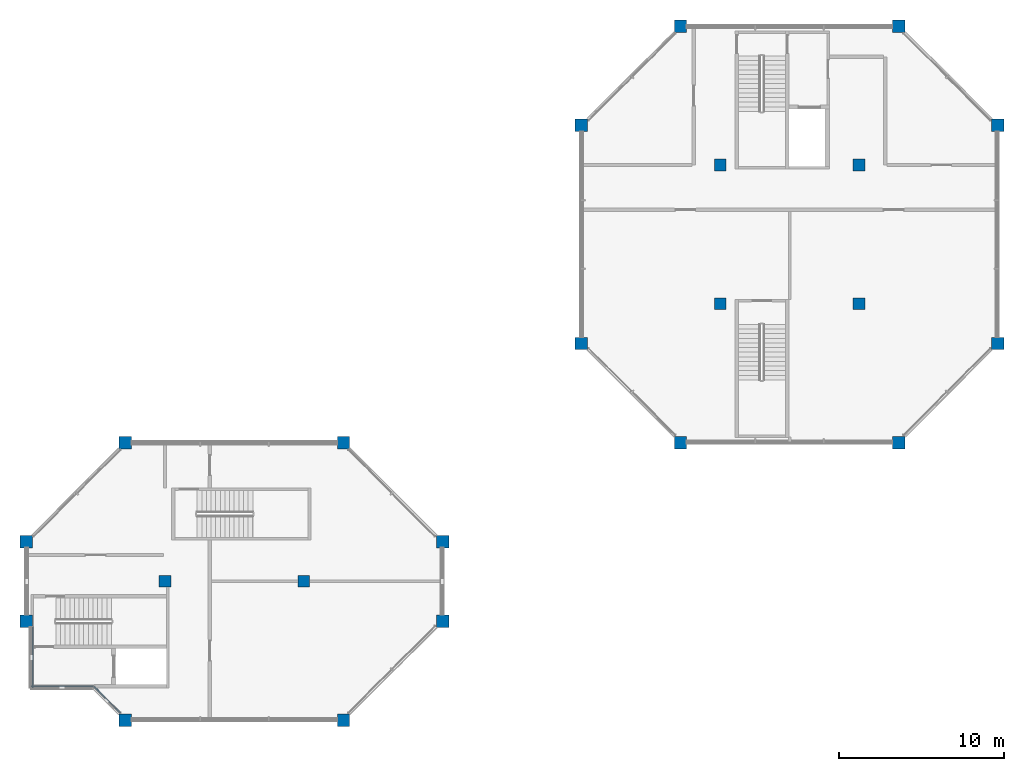
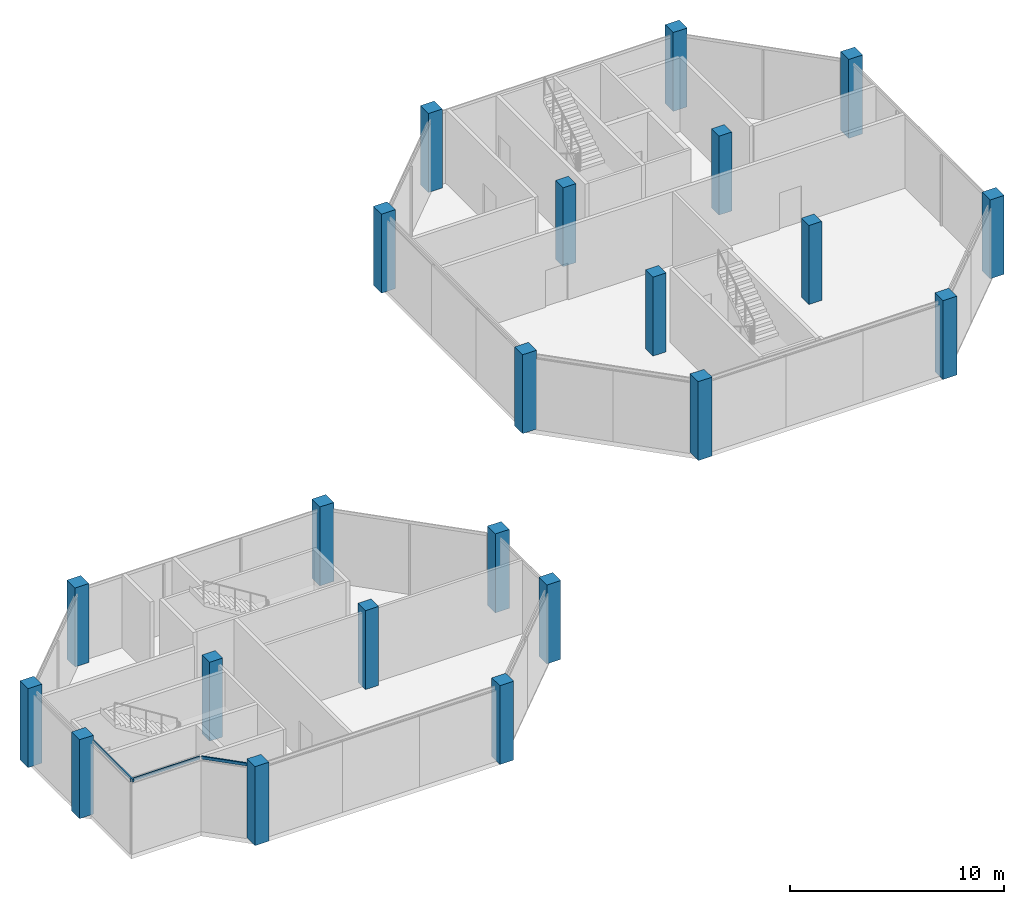
# One storey, part 1 of 9: 22 columns, 3 members, 3 elements without a shape of their own.
"""IFC4 building model written with IfcOpenShell, lengths in metres."""

from ifc_helpers import new_model, si_unit, direction, frame, origin, origin_2d, place, context, subcontext, project, spatial, rectangle, extrude, material, layer, layer_set, material_profile, profile_set, type_object, element, aggregate, save


model = new_model("IFC4")

# Units and contexts
model_context = context("Model", 3, precision=1e-05, world=origin(), true_north=direction((0.0, 1.0)))
body_context = subcontext(model_context, "Body", "Model", "MODEL_VIEW")
ifc_project = project(units=[si_unit("LENGTHUNIT", "METRE"), si_unit("AREAUNIT", "SQUARE_METRE"), si_unit("VOLUMEUNIT", "CUBIC_METRE"), si_unit("PLANEANGLEUNIT", "RADIAN"), si_unit("MASSUNIT", "GRAM", prefix="KILO")], contexts=[model_context])

# Site, building, storey
site_placement = place(None, origin())
site = spatial("IfcSite", under=ifc_project, at=site_placement, CompositionType="ELEMENT")
building_placement = place(site_placement, origin())
building = spatial("IfcBuilding", under=site, at=building_placement, Name="Kawkab Arch Medical Tower", CompositionType="ELEMENT")
storey_placement = place(building_placement, frame((0.0, 0.0, 341.199951171875)))
storey = spatial("IfcBuildingStorey", under=building, at=storey_placement, Name="L79", CompositionType="ELEMENT", Elevation=341.199951171875)

# Columns
ifc_material_1 = material(Name="Concrete C40/50", Category="concrete")
ifc_material_profile_1 = material_profile(ifc_material_1, rectangle(XDim=0.699951171875, YDim=0.699951171875, at=origin_2d()), Name="RC 700x700")
ifc_profile_set_1 = profile_set([ifc_material_profile_1], Name="Concrete C40/50")
column_type_1 = type_object("IfcColumnType", Name="RC 700x700 column C40/50", PredefinedType="COLUMN", material=ifc_profile_set_1)
for number, where, z_axis, x_axis, name in (
    (1, (42.0, -8.39990234375, 0.0), (0.0, 0.0, 1.0), (1.0, 0.0, 0.0), "Column RC 700x700"),
    (2, (50.39990234375, -8.39990234375, 0.0), (0.0, 0.0, 1.0), (1.0, 0.0, 0.0), "Column RC 700x700"),
    (3, (42.0, -16.800048828125, 0.0), (0.0, 0.0, 1.0), (1.0, 0.0, 0.0), "Column RC 700x700"),
    (4, (50.39990234375, -16.800048828125, 0.0), (0.0, 0.0, 1.0), (1.0, 0.0, 0.0), "Column RC 700x700"),
    (5, (8.39990234375, -33.60009765625, 0.0), (0.0, 0.0, 1.0), (1.0, 0.0, 0.0), "Column RC 700x700"),
    (6, (16.800048828125, -33.60009765625, 0.0), (0.0, 0.0, 1.0), (1.0, 0.0, 0.0), "Column RC 700x700"),
):
    element("IfcColumn", number, at=place(storey_placement, frame(where, z_axis=z_axis, x_axis=x_axis)), inside=storey, type_object=column_type_1, Name=name, PredefinedType="COLUMN", context=body_context, shape_type="SweptSolid", body=[
        extrude(rectangle(XDim=0.699951171875, YDim=0.699951171875, at=origin_2d()), origin(), (0.0, 0.0, 1.0), 4.5),
    ])
ifc_material_2 = material(Name="Concrete C40/50", Category="concrete")
ifc_material_profile_2 = material_profile(ifc_material_2, rectangle(XDim=0.75, YDim=0.75, at=origin_2d()), Name="RC 750x750")
ifc_profile_set_2 = profile_set([ifc_material_profile_2], Name="Concrete C40/50")
column_type_2 = type_object("IfcColumnType", Name="RC 750x750 column C40/50", PredefinedType="COLUMN", material=ifc_profile_set_2)
for number, where, z_axis, x_axis, name in (
    (7, (39.60009765625, 0.0, 0.0), (0.0, 0.0, 1.0), (1.0, 0.0, 0.0), "Column RC 750x750"),
    (8, (52.800048828125, 0.0, 0.0), (0.0, 0.0, 1.0), (1.0, 0.0, 0.0), "Column RC 750x750"),
    (9, (33.60009765625, -6.0, 0.0), (0.0, 0.0, 1.0), (1.0, 0.0, 0.0), "Column RC 750x750"),
    (10, (58.800048828125, -6.0, 0.0), (0.0, 0.0, 1.0), (1.0, 0.0, 0.0), "Column RC 750x750"),
    (11, (33.60009765625, -19.199951171875, 0.0), (0.0, 0.0, 1.0), (1.0, 0.0, 0.0), "Column RC 750x750"),
    (12, (58.800048828125, -19.199951171875, 0.0), (0.0, 0.0, 1.0), (1.0, 0.0, 0.0), "Column RC 750x750"),
    (13, (6.0, -25.199951171875, 0.0), (0.0, 0.0, 1.0), (1.0, 0.0, 0.0), "Column RC 750x750"),
    (14, (19.199951171875, -25.199951171875, 0.0), (0.0, 0.0, 1.0), (1.0, 0.0, 0.0), "Column RC 750x750"),
    (15, (39.60009765625, -25.199951171875, 0.0), (0.0, 0.0, 1.0), (1.0, 0.0, 0.0), "Column RC 750x750"),
    (16, (52.800048828125, -25.199951171875, 0.0), (0.0, 0.0, 1.0), (1.0, 0.0, 0.0), "Column RC 750x750"),
    (17, (0.0, -31.199951171875, 0.0), (0.0, 0.0, 1.0), (1.0, 0.0, 0.0), "Column RC 750x750"),
    (18, (25.199951171875, -31.199951171875, 0.0), (0.0, 0.0, 1.0), (1.0, 0.0, 0.0), "Column RC 750x750"),
    (19, (0.0, -36.0, 0.0), (0.0, 0.0, 1.0), (1.0, 0.0, 0.0), "Column RC 750x750"),
    (20, (25.199951171875, -36.0, 0.0), (0.0, 0.0, 1.0), (1.0, 0.0, 0.0), "Column RC 750x750"),
    (21, (6.0, -42.0, 0.0), (0.0, 0.0, 1.0), (1.0, 0.0, 0.0), "Column RC 750x750"),
    (22, (19.199951171875, -42.0, 0.0), (0.0, 0.0, 1.0), (1.0, 0.0, 0.0), "Column RC 750x750"),
):
    element("IfcColumn", number, at=place(storey_placement, frame(where, z_axis=z_axis, x_axis=x_axis)), inside=storey, type_object=column_type_2, Name=name, PredefinedType="COLUMN", context=body_context, shape_type="SweptSolid", body=[
        extrude(rectangle(XDim=0.75, YDim=0.75, at=origin_2d()), origin(), (0.0, 0.0, 1.0), 4.5),
    ])

# Curtain wall, member
ifc_material_3 = material(Name="Bronze anodised aluminium curtain wall frame", Category="aluminium")
ifc_layer = layer(ifc_material_3, 0.159912109375)
ifc_layer_set = layer_set([ifc_layer], Name="Bronze anodised aluminium curtain wall frame")
curtain_wall_type = type_object("IfcCurtainWallType", Name="CW6 helipad lobby and crown glazing", PredefinedType="NOTDEFINED", material=ifc_layer_set)
placement = place(storey_placement, origin())
curtain_wall_1 = element("IfcCurtainWall", 23, at=placement, inside=storey, type_object=curtain_wall_type, Name="CW6 Helipad lobby and crown glazing R14", PredefinedType="NOTDEFINED")
ifc_material_4 = material(Name="Bronze anodised aluminium curtain wall frame", Category="aluminium")
ifc_material_profile_3 = material_profile(ifc_material_4, rectangle(XDim=0.070068359375, YDim=0.159912109375, at=origin_2d()), Name="AL 70x160")
ifc_profile_set_3 = profile_set([ifc_material_profile_3], Name="Bronze anodised aluminium curtain wall frame")
member_type = type_object("IfcMemberType", Name="CW6 transom 160 x 70", PredefinedType="USERDEFINED", material=ifc_profile_set_3)
member_1_placement = place(storey_placement, frame((0.39990234375, -36.375, 4.1201171875), z_axis=(0.0, -1.0, 0.0), x_axis=(1.0, 0.0, 0.0)))
member_1 = element("IfcMember", 24, at=member_1_placement, type_object=member_type, Name="CW6 transom 1", ObjectType="TRANSOM", PredefinedType="USERDEFINED", context=body_context, shape_type="SweptSolid", body=[
    extrude(rectangle(XDim=0.070068359375, YDim=0.159912109375, at=origin_2d()), origin(), (0.0, 0.0, 1.0), 3.675048828125),
])
aggregate(curtain_wall_1, [member_1])

curtain_wall_2 = element("IfcCurtainWall", 25, at=placement, inside=storey, type_object=curtain_wall_type, Name="CW6 Helipad lobby and crown glazing R15", PredefinedType="NOTDEFINED")
member_2_placement = place(storey_placement, frame((0.300048828125, -39.949951171875, 4.1201171875), z_axis=(1.0, 0.0, 0.0), x_axis=(0.0, 1.0, 0.0)))
member_2 = element("IfcMember", 26, at=member_2_placement, type_object=member_type, Name="CW6 transom 1", ObjectType="TRANSOM", PredefinedType="USERDEFINED", context=body_context, shape_type="SweptSolid", body=[
    extrude(rectangle(XDim=0.070068359375, YDim=0.159912109375, at=origin_2d()), origin(), (0.0, 0.0, 1.0), 3.75),
])
aggregate(curtain_wall_2, [member_2])

curtain_wall_3 = element("IfcCurtainWall", 27, at=placement, inside=storey, type_object=curtain_wall_type, Name="CW6 Helipad lobby and crown glazing R16", PredefinedType="NOTDEFINED")
member_3_placement = place(storey_placement, frame((4.12060546875, -39.979248046875, 4.1201171875), z_axis=(0.707161580797, -0.707051977329, 0.0), x_axis=(0.707051977329, 0.707161580797, 0.0)))
member_3 = element("IfcMember", 28, at=member_3_placement, type_object=member_type, Name="CW6 transom 1", ObjectType="TRANSOM", PredefinedType="USERDEFINED", context=body_context, shape_type="SweptSolid", body=[
    extrude(rectangle(XDim=0.070068359375, YDim=0.159912109375, at=origin_2d()), origin(), (0.0, 0.0, 1.0), 2.2275390625),
])
aggregate(curtain_wall_3, [member_3])

save(model, "model.ifc")
